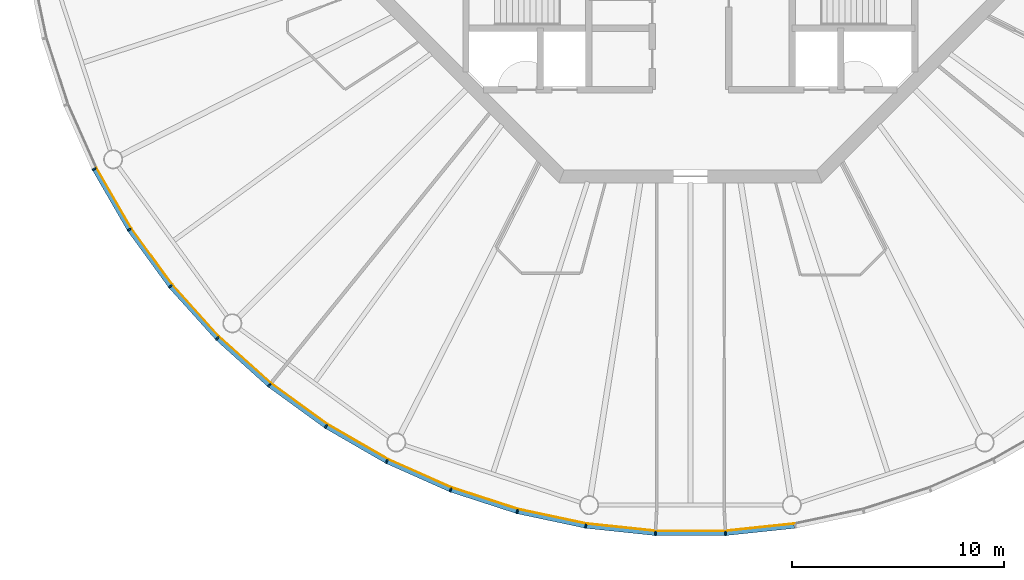
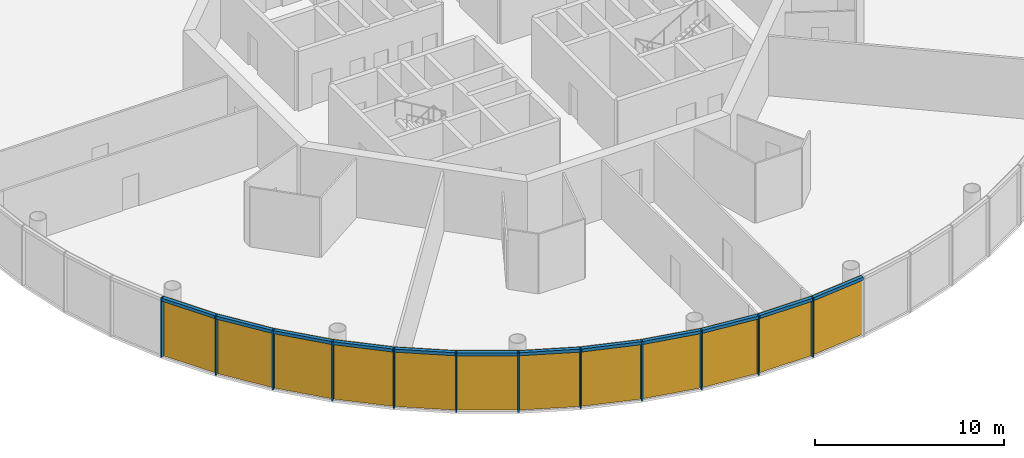
# One storey, part 7 of 13: 24 members, 4 curtain walls.
"""IFC4 building model written with IfcOpenShell, lengths in metres."""

from ifc_helpers import new_model, si_unit, direction, frame, origin, origin_2d, place, context, subcontext, project, spatial, polyline, rectangle, outline, extrude, material, layer, layer_set, material_profile, profile_set, type_object, element, aggregate, save


model = new_model("IFC4")

# Units and contexts
model_context = context("Model", 3, precision=1e-05, world=origin(), true_north=direction((0.0, 1.0)))
body_context = subcontext(model_context, "Body", "Model", "MODEL_VIEW")
ifc_project = project(units=[si_unit("LENGTHUNIT", "METRE"), si_unit("AREAUNIT", "SQUARE_METRE"), si_unit("VOLUMEUNIT", "CUBIC_METRE"), si_unit("PLANEANGLEUNIT", "RADIAN"), si_unit("MASSUNIT", "GRAM", prefix="KILO")], contexts=[model_context])

# Member
ifc_material_1 = material(Name="Anodised aluminium", Category="aluminium")
ifc_material_profile_1 = material_profile(ifc_material_1, rectangle(XDim=0.070068359375, YDim=0.205078125, at=origin_2d()), Name="Mullion 70 x 205 mm anodised aluminium")
ifc_profile_set_1 = profile_set([ifc_material_profile_1], Name="Anodised aluminium")
member_type_1 = type_object("IfcMemberType", Name="Mullion 70 x 205 mm anodised aluminium", PredefinedType="MULLION", material=ifc_profile_set_1)
site_placement = place(None, origin())
building_placement = place(site_placement, origin())
storey_placement = place(building_placement, frame((0.0, 0.0, 364.0)))
member_1_placement = place(storey_placement, frame((61.842041015625, 65.65283203125, 0.0), z_axis=(0.0, 0.0, 1.0), x_axis=(0.45399049974, -0.891006524188, 0.0)))
member_1 = element("IfcMember", 1, at=member_1_placement, type_object=member_type_1, Name="MULLION L84-33", PredefinedType="MULLION", context=body_context, shape_type="SweptSolid", body=[
    extrude(rectangle(XDim=0.070068359375, YDim=0.205078125, at=origin_2d()), origin(), (0.0, 0.0, 1.0), 3.85009765625),
])

member_2_placement = place(storey_placement, frame((63.495849609375, 62.7880859375, 0.0), z_axis=(0.0, 0.0, 1.0), x_axis=(0.544639035015, -0.838670567945, 0.0)))
member_2 = element("IfcMember", 2, at=member_2_placement, type_object=member_type_1, Name="MULLION L84-34", PredefinedType="MULLION", context=body_context, shape_type="SweptSolid", body=[
    extrude(rectangle(XDim=0.070068359375, YDim=0.205078125, at=origin_2d()), origin(), (0.0, 0.0, 1.0), 3.85009765625),
])

member_3_placement = place(storey_placement, frame((65.440185546875, 60.11181640625, 0.0), z_axis=(0.0, 0.0, 1.0), x_axis=(0.62932039105, -0.777145961457, 0.0)))
member_3 = element("IfcMember", 3, at=member_3_placement, type_object=member_type_1, Name="MULLION L84-35", PredefinedType="MULLION", context=body_context, shape_type="SweptSolid", body=[
    extrude(rectangle(XDim=0.070068359375, YDim=0.205078125, at=origin_2d()), origin(), (0.0, 0.0, 1.0), 3.85009765625),
])

member_4_placement = place(storey_placement, frame((67.653564453125, 57.653564453125, 0.0), z_axis=(0.0, 0.0, 1.0), x_axis=(0.707106781187, -0.707106781187, 0.0)))
member_4 = element("IfcMember", 4, at=member_4_placement, type_object=member_type_1, Name="MULLION L84-36", PredefinedType="MULLION", context=body_context, shape_type="SweptSolid", body=[
    extrude(rectangle(XDim=0.070068359375, YDim=0.205078125, at=origin_2d()), origin(), (0.0, 0.0, 1.0), 3.85009765625),
])

member_5_placement = place(storey_placement, frame((70.11181640625, 55.440185546875, 0.0), z_axis=(0.0, 0.0, 1.0), x_axis=(0.777145961457, -0.62932039105, 0.0)))
member_5 = element("IfcMember", 5, at=member_5_placement, type_object=member_type_1, Name="MULLION L84-37", PredefinedType="MULLION", context=body_context, shape_type="SweptSolid", body=[
    extrude(rectangle(XDim=0.070068359375, YDim=0.205078125, at=origin_2d()), origin(), (0.0, 0.0, 1.0), 3.85009765625),
])

member_6_placement = place(storey_placement, frame((72.7880859375, 53.495849609375, 0.0), z_axis=(0.0, 0.0, 1.0), x_axis=(0.838670567945, -0.544639035015, 0.0)))
member_6 = element("IfcMember", 6, at=member_6_placement, type_object=member_type_1, Name="MULLION L84-38", PredefinedType="MULLION", context=body_context, shape_type="SweptSolid", body=[
    extrude(rectangle(XDim=0.070068359375, YDim=0.205078125, at=origin_2d()), origin(), (0.0, 0.0, 1.0), 3.85009765625),
])

member_7_placement = place(storey_placement, frame((75.65283203125, 51.842041015625, 0.0), z_axis=(0.0, 0.0, 1.0), x_axis=(0.891006524188, -0.45399049974, 0.0)))
member_7 = element("IfcMember", 7, at=member_7_placement, type_object=member_type_1, Name="MULLION L84-39", PredefinedType="MULLION", context=body_context, shape_type="SweptSolid", body=[
    extrude(rectangle(XDim=0.070068359375, YDim=0.205078125, at=origin_2d()), origin(), (0.0, 0.0, 1.0), 3.85009765625),
])

member_8_placement = place(storey_placement, frame((78.674560546875, 50.49658203125, 0.0), z_axis=(0.0, 0.0, 1.0), x_axis=(0.933580426497, -0.358367949545, 0.0)))
member_8 = element("IfcMember", 8, at=member_8_placement, type_object=member_type_1, Name="MULLION L84-40", PredefinedType="MULLION", context=body_context, shape_type="SweptSolid", body=[
    extrude(rectangle(XDim=0.070068359375, YDim=0.205078125, at=origin_2d()), origin(), (0.0, 0.0, 1.0), 3.85009765625),
])

member_9_placement = place(storey_placement, frame((81.820556640625, 49.474365234375, 0.0), z_axis=(0.0, 0.0, 1.0), x_axis=(0.965925826289, -0.258819045103, 0.0)))
member_9 = element("IfcMember", 9, at=member_9_placement, type_object=member_type_1, Name="MULLION L84-41", PredefinedType="MULLION", context=body_context, shape_type="SweptSolid", body=[
    extrude(rectangle(XDim=0.070068359375, YDim=0.205078125, at=origin_2d()), origin(), (0.0, 0.0, 1.0), 3.85009765625),
])

member_10_placement = place(storey_placement, frame((85.056396484375, 48.78662109375, 0.0), z_axis=(0.0, 0.0, 1.0), x_axis=(0.987688340595, -0.15643446504, 0.0)))
member_10 = element("IfcMember", 10, at=member_10_placement, type_object=member_type_1, Name="MULLION L84-42", PredefinedType="MULLION", context=body_context, shape_type="SweptSolid", body=[
    extrude(rectangle(XDim=0.070068359375, YDim=0.205078125, at=origin_2d()), origin(), (0.0, 0.0, 1.0), 3.85009765625),
])

member_11_placement = place(storey_placement, frame((88.345947265625, 48.44091796875, 0.0), z_axis=(0.0, 0.0, 1.0), x_axis=(0.998629534755, -0.052335956243, 0.0)))
member_11 = element("IfcMember", 11, at=member_11_placement, type_object=member_type_1, Name="MULLION L84-43", PredefinedType="MULLION", context=body_context, shape_type="SweptSolid", body=[
    extrude(rectangle(XDim=0.070068359375, YDim=0.205078125, at=origin_2d()), origin(), (0.0, 0.0, 1.0), 3.85009765625),
])

member_12_placement = place(storey_placement, frame((91.654052734375, 48.44091796875, 0.0), z_axis=(0.0, 0.0, 1.0), x_axis=(0.998629534755, 0.052335956243, 0.0)))
member_12 = element("IfcMember", 12, at=member_12_placement, type_object=member_type_1, Name="MULLION L84-44", PredefinedType="MULLION", context=body_context, shape_type="SweptSolid", body=[
    extrude(rectangle(XDim=0.070068359375, YDim=0.205078125, at=origin_2d()), origin(), (0.0, 0.0, 1.0), 3.85009765625),
])

ifc_material_2 = material(Name="Anodised aluminium", Category="aluminium")
ifc_material_profile_2 = material_profile(ifc_material_2, rectangle(XDim=0.205078125, YDim=0.195068359375, at=origin_2d()), Name="Transom 195 x 205 mm anodised aluminium")
ifc_profile_set_2 = profile_set([ifc_material_profile_2], Name="Anodised aluminium")
member_type_2 = type_object("IfcMemberType", Name="Transom 195 x 205 mm anodised aluminium", PredefinedType="USERDEFINED", material=ifc_profile_set_2)
member_13_placement = place(storey_placement, frame((61.862060546875, 65.61767578125, 3.75244140625), z_axis=(0.500004055213, -0.866023062494, 0.0), x_axis=(0.866023062494, 0.500004055213, 0.0)))
member_13 = element("IfcMember", 13, at=member_13_placement, type_object=member_type_2, Name="TRANSOM L84-33", ObjectType="TRANSOM", PredefinedType="USERDEFINED", context=body_context, shape_type="SweptSolid", body=[
    extrude(rectangle(XDim=0.205078125, YDim=0.195068359375, at=origin_2d()), origin(), (0.0, 0.0, 1.0), 3.22705078125),
])

member_14_placement = place(storey_placement, frame((63.51953125, 62.75537109375, 3.75244140625), z_axis=(0.587802790201, -0.809004252048, 0.0), x_axis=(0.809004252048, 0.587802790201, 0.0)))
member_14 = element("IfcMember", 14, at=member_14_placement, type_object=member_type_2, Name="TRANSOM L84-34", ObjectType="TRANSOM", PredefinedType="USERDEFINED", context=body_context, shape_type="SweptSolid", body=[
    extrude(rectangle(XDim=0.205078125, YDim=0.195068359375, at=origin_2d()), origin(), (0.0, 0.0, 1.0), 3.227294921875),
])

member_15_placement = place(storey_placement, frame((65.467041015625, 60.081787109375, 3.75244140625), z_axis=(0.669144438484, -0.743132370743, 0.0), x_axis=(0.743132370743, 0.669144438484, 0.0)))
member_15 = element("IfcMember", 15, at=member_15_placement, type_object=member_type_2, Name="TRANSOM L84-35", ObjectType="TRANSOM", PredefinedType="USERDEFINED", context=body_context, shape_type="SweptSolid", body=[
    extrude(rectangle(XDim=0.205078125, YDim=0.195068359375, at=origin_2d()), origin(), (0.0, 0.0, 1.0), 3.22705078125),
])

member_16_placement = place(storey_placement, frame((67.68359375, 57.62646484375, 3.75244140625), z_axis=(0.743132370743, -0.669144438484, 0.0), x_axis=(0.669144438484, 0.743132370743, 0.0)))
member_16 = element("IfcMember", 16, at=member_16_placement, type_object=member_type_2, Name="TRANSOM L84-36", ObjectType="TRANSOM", PredefinedType="USERDEFINED", context=body_context, shape_type="SweptSolid", body=[
    extrude(rectangle(XDim=0.205078125, YDim=0.195068359375, at=origin_2d()), origin(), (0.0, 0.0, 1.0), 3.22705078125),
])

member_17_placement = place(storey_placement, frame((70.14453125, 55.41650390625, 3.75244140625), z_axis=(0.809004252048, -0.587802790201, 0.0), x_axis=(0.587802790201, 0.809004252048, 0.0)))
member_17 = element("IfcMember", 17, at=member_17_placement, type_object=member_type_2, Name="TRANSOM L84-37", ObjectType="TRANSOM", PredefinedType="USERDEFINED", context=body_context, shape_type="SweptSolid", body=[
    extrude(rectangle(XDim=0.205078125, YDim=0.195068359375, at=origin_2d()), origin(), (0.0, 0.0, 1.0), 3.227294921875),
])

member_18_placement = place(storey_placement, frame((72.822998046875, 53.4755859375, 3.75244140625), z_axis=(0.866023062494, -0.500004055213, 0.0), x_axis=(0.500004055213, 0.866023062494, 0.0)))
member_18 = element("IfcMember", 18, at=member_18_placement, type_object=member_type_2, Name="TRANSOM L84-38", ObjectType="TRANSOM", PredefinedType="USERDEFINED", context=body_context, shape_type="SweptSolid", body=[
    extrude(rectangle(XDim=0.205078125, YDim=0.195068359375, at=origin_2d()), origin(), (0.0, 0.0, 1.0), 3.22705078125),
])

member_19_placement = place(storey_placement, frame((75.689697265625, 51.825439453125, 3.75244140625), z_axis=(0.913521178731, -0.406791170024, 0.0), x_axis=(0.406791170024, 0.913521178731, 0.0)))
member_19 = element("IfcMember", 19, at=member_19_placement, type_object=member_type_2, Name="TRANSOM L84-39", ObjectType="TRANSOM", PredefinedType="USERDEFINED", context=body_context, shape_type="SweptSolid", body=[
    extrude(rectangle(XDim=0.205078125, YDim=0.195068359375, at=origin_2d()), origin(), (0.0, 0.0, 1.0), 3.22705078125),
])

member_20_placement = place(storey_placement, frame((78.713134765625, 50.48388671875, 3.75244140625), z_axis=(0.951046855117, -0.309046726844, 0.0), x_axis=(0.309046726844, 0.951046855117, 0.0)))
member_20 = element("IfcMember", 20, at=member_20_placement, type_object=member_type_2, Name="TRANSOM L84-40", ObjectType="TRANSOM", PredefinedType="USERDEFINED", context=body_context, shape_type="SweptSolid", body=[
    extrude(rectangle(XDim=0.205078125, YDim=0.195068359375, at=origin_2d()), origin(), (0.0, 0.0, 1.0), 3.22705078125),
])

member_21_placement = place(storey_placement, frame((81.860107421875, 49.4658203125, 3.75244140625), z_axis=(0.978153082647, -0.207885898771, 0.0), x_axis=(0.207885898771, 0.978153082647, 0.0)))
member_21 = element("IfcMember", 21, at=member_21_placement, type_object=member_type_2, Name="TRANSOM L84-41", ObjectType="TRANSOM", PredefinedType="USERDEFINED", context=body_context, shape_type="SweptSolid", body=[
    extrude(rectangle(XDim=0.205078125, YDim=0.195068359375, at=origin_2d()), origin(), (0.0, 0.0, 1.0), 3.227294921875),
])

member_22_placement = place(storey_placement, frame((85.096435546875, 48.7822265625, 3.75244140625), z_axis=(0.994519537956, -0.104550890115, 0.0), x_axis=(0.104550890115, 0.994519537956, 0.0)))
member_22 = element("IfcMember", 22, at=member_22_placement, type_object=member_type_2, Name="TRANSOM L84-42", ObjectType="TRANSOM", PredefinedType="USERDEFINED", context=body_context, shape_type="SweptSolid", body=[
    extrude(rectangle(XDim=0.205078125, YDim=0.195068359375, at=origin_2d()), origin(), (0.0, 0.0, 1.0), 3.22705078125),
])

member_23_placement = place(storey_placement, frame((88.386474609375, 48.440673828125, 3.75244140625), z_axis=(1.0, 0.0, 0.0), x_axis=(0.0, 1.0, 0.0)))
member_23 = element("IfcMember", 23, at=member_23_placement, type_object=member_type_2, Name="TRANSOM L84-43", ObjectType="TRANSOM", PredefinedType="USERDEFINED", context=body_context, shape_type="SweptSolid", body=[
    extrude(rectangle(XDim=0.205078125, YDim=0.195068359375, at=origin_2d()), origin(), (0.0, 0.0, 1.0), 3.22705078125),
])

member_24_placement = place(storey_placement, frame((91.694091796875, 48.44482421875, 3.75244140625), z_axis=(0.994519537956, 0.104550890115, 0.0), x_axis=(-0.104550890115, 0.994519537956, 0.0)))
member_24 = element("IfcMember", 24, at=member_24_placement, type_object=member_type_2, Name="TRANSOM L84-44", ObjectType="TRANSOM", PredefinedType="USERDEFINED", context=body_context, shape_type="SweptSolid", body=[
    extrude(rectangle(XDim=0.205078125, YDim=0.195068359375, at=origin_2d()), origin(), (0.0, 0.0, 1.0), 3.22705078125),
])

# Site, building, storey
site = spatial("IfcSite", under=ifc_project, at=site_placement, CompositionType="ELEMENT")
building = spatial("IfcBuilding", under=site, at=building_placement, Name="Entoto Ring Tower", CompositionType="ELEMENT")
storey = spatial("IfcBuildingStorey", under=building, at=storey_placement, Name="L84", CompositionType="ELEMENT", Elevation=364.0)

# Curtain wall
ifc_material_3 = material(Name="Clear low-iron glass", Category="glass")
ifc_layer = layer(ifc_material_3, 0.035888671875)
ifc_layer_set = layer_set([ifc_layer], Name="Clear low-iron glass")
curtain_wall_type = type_object("IfcCurtainWallType", Name="Curtain wall system CW6 glazing 36 mm", PredefinedType="NOTDEFINED", material=ifc_layer_set)
curtain_wall_1_placement = place(storey_placement, origin())
curtain_wall_1 = element("IfcCurtainWall", 25, at=curtain_wall_1_placement, inside=storey, type_object=curtain_wall_type, Name="CW6 L84-12", PredefinedType="NOTDEFINED", context=body_context, shape_type="SweptSolid", body=[
    extrude(outline(polyline([(61.933349609375, 65.69921875), (63.581787109375, 62.84375), (65.52001953125, 60.176513671875), (67.72607421875, 57.72607421875), (67.751708984375, 57.751708984375), (65.5478515625, 60.198974609375), (63.612060546875, 62.863525390625), (61.96533203125, 65.715576171875), (61.933349609375, 65.69921875)])), origin(), (0.0, 0.0, 1.0), 3.85009765625),
])

aggregate(curtain_wall_1, [member_1, member_2, member_3, member_13, member_14, member_15])

curtain_wall_2_placement = place(storey_placement, origin())
curtain_wall_2 = element("IfcCurtainWall", 26, at=curtain_wall_2_placement, inside=storey, type_object=curtain_wall_type, Name="CW6 L84-13", PredefinedType="NOTDEFINED", context=body_context, shape_type="SweptSolid", body=[
    extrude(outline(polyline([(67.72607421875, 57.72607421875), (70.176513671875, 55.52001953125), (72.84375, 53.581787109375), (75.69921875, 51.933349609375), (75.715576171875, 51.96533203125), (72.863525390625, 53.612060546875), (70.198974609375, 55.5478515625), (67.751708984375, 57.751708984375), (67.72607421875, 57.72607421875)])), origin(), (0.0, 0.0, 1.0), 3.85009765625),
])

aggregate(curtain_wall_2, [member_4, member_5, member_6, member_16, member_17, member_18])

curtain_wall_3_placement = place(storey_placement, origin())
curtain_wall_3 = element("IfcCurtainWall", 27, at=curtain_wall_3_placement, inside=storey, type_object=curtain_wall_type, Name="CW6 L84-14", PredefinedType="NOTDEFINED", context=body_context, shape_type="SweptSolid", body=[
    extrude(outline(polyline([(75.69921875, 51.933349609375), (78.71142578125, 50.59228515625), (81.84716796875, 49.5732421875), (85.072265625, 48.8876953125), (85.077880859375, 48.92333984375), (81.8564453125, 49.608154296875), (78.724365234375, 50.6259765625), (75.715576171875, 51.96533203125), (75.69921875, 51.933349609375)])), origin(), (0.0, 0.0, 1.0), 3.85009765625),
])

aggregate(curtain_wall_3, [member_7, member_8, member_9, member_19, member_20, member_21])

curtain_wall_4_placement = place(storey_placement, origin())
curtain_wall_4 = element("IfcCurtainWall", 28, at=curtain_wall_4_placement, inside=storey, type_object=curtain_wall_type, Name="CW6 L84-15", PredefinedType="NOTDEFINED", context=body_context, shape_type="SweptSolid", body=[
    extrude(outline(polyline([(85.072265625, 48.8876953125), (88.351318359375, 48.543212890625), (91.648681640625, 48.543212890625), (94.927734375, 48.8876953125), (94.922119140625, 48.92333984375), (91.646728515625, 48.5791015625), (88.353271484375, 48.5791015625), (85.077880859375, 48.92333984375), (85.072265625, 48.8876953125)])), origin(), (0.0, 0.0, 1.0), 3.85009765625),
])

aggregate(curtain_wall_4, [member_10, member_11, member_12, member_22, member_23, member_24])

save(model, "model.ifc")
